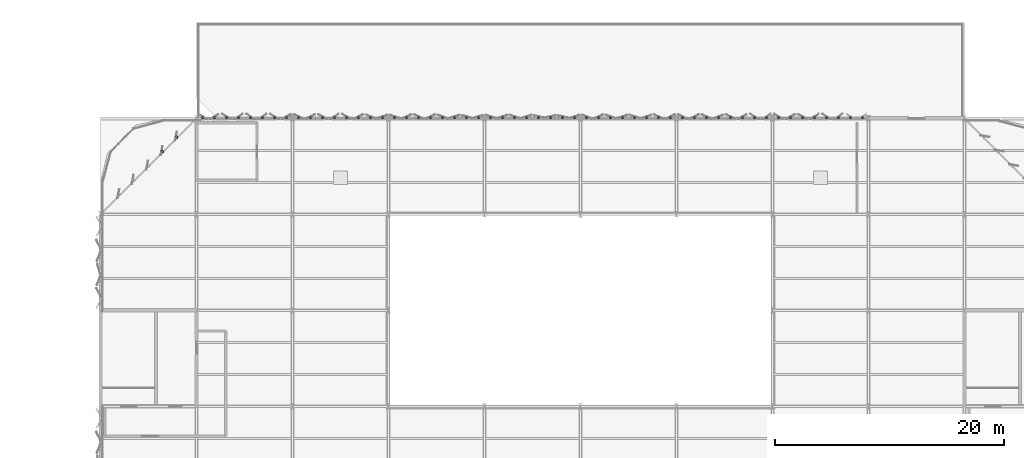
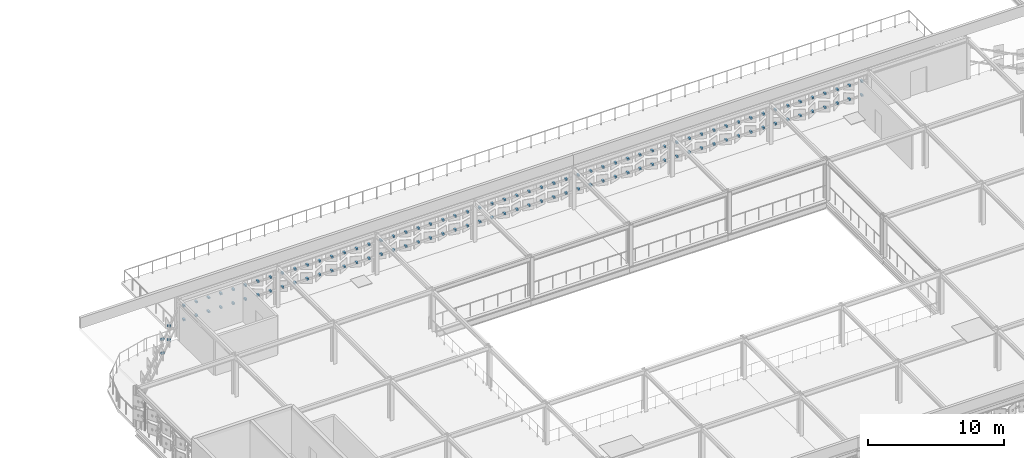
# One storey, part 59 of 65: 116 discrete accessories.
"""IFC4 building model written with IfcOpenShell, lengths in metres."""

from ifc_helpers import new_model, si_unit, direction, frame, origin, origin_2d, place, context, subcontext, project, spatial, rectangle, extrude, material, type_object, element, save


model = new_model("IFC4")

# Units and contexts
model_context = context("Model", 3, precision=1e-05, world=origin(), true_north=direction((0.0, 1.0)))
body_context = subcontext(model_context, "Body", "Model", "MODEL_VIEW")
ifc_project = project(units=[si_unit("LENGTHUNIT", "METRE"), si_unit("AREAUNIT", "SQUARE_METRE"), si_unit("VOLUMEUNIT", "CUBIC_METRE"), si_unit("PLANEANGLEUNIT", "RADIAN"), si_unit("MASSUNIT", "GRAM", prefix="KILO")], contexts=[model_context])

# Site, building, storey
site_placement = place(None, origin())
site = spatial("IfcSite", under=ifc_project, at=site_placement, CompositionType="ELEMENT")
building_placement = place(site_placement, origin())
building = spatial("IfcBuilding", under=site, at=building_placement, Name="Qalvenar Corner Mobility Hub", CompositionType="ELEMENT")
storey_placement = place(building_placement, frame((0.0, 0.0, 17.39990234375)))
storey = spatial("IfcBuildingStorey", under=building, at=storey_placement, Name="L04", CompositionType="ELEMENT", Elevation=17.39990234375)

# Discrete accessories
ifc_material = material(Name="Steel S355", Category="steel")
discrete_accessory_type = type_object("IfcDiscreteAccessoryType", Name="ACC-HINGE-BRK", PredefinedType="BRACKET", material=ifc_material)
for number, where, z_axis, x_axis, name in (
    (1, (125.47509765625, 109.280029296875, 1.419921875), (0.0, 0.0, 1.0), (-1.0, 0.0, 0.0), "Panel Hinge Bracket BK-L04-1209"),
    (2, (125.47509765625, 109.280029296875, 2.669921875), (0.0, 0.0, 1.0), (-1.0, 0.0, 0.0), "Panel Hinge Bracket BK-L04-1210"),
    (3, (124.425048828125, 109.280029296875, 1.419921875), (0.0, 0.0, 1.0), (-1.0, 0.0, 0.0), "Panel Hinge Bracket BK-L04-1211"),
    (4, (124.425048828125, 109.280029296875, 2.669921875), (0.0, 0.0, 1.0), (-1.0, 0.0, 0.0), "Panel Hinge Bracket BK-L04-1212"),
    (5, (123.375, 109.280029296875, 1.419921875), (0.0, 0.0, 1.0), (-1.0, 0.0, 0.0), "Panel Hinge Bracket BK-L04-1213"),
    (6, (123.375, 109.280029296875, 2.669921875), (0.0, 0.0, 1.0), (-1.0, 0.0, 0.0), "Panel Hinge Bracket BK-L04-1214"),
    (7, (122.324951171875, 109.280029296875, 1.419921875), (0.0, 0.0, 1.0), (-1.0, 0.0, 0.0), "Panel Hinge Bracket BK-L04-1215"),
    (8, (122.324951171875, 109.280029296875, 2.669921875), (0.0, 0.0, 1.0), (-1.0, 0.0, 0.0), "Panel Hinge Bracket BK-L04-1216"),
    (9, (121.27490234375, 109.280029296875, 1.419921875), (0.0, 0.0, 1.0), (-1.0, 0.0, 0.0), "Panel Hinge Bracket BK-L04-1217"),
    (10, (121.27490234375, 109.280029296875, 2.669921875), (0.0, 0.0, 1.0), (-1.0, 0.0, 0.0), "Panel Hinge Bracket BK-L04-1218"),
    (11, (120.22509765625, 109.280029296875, 1.419921875), (0.0, 0.0, 1.0), (-1.0, 0.0, 0.0), "Panel Hinge Bracket BK-L04-1219"),
    (12, (120.22509765625, 109.280029296875, 2.669921875), (0.0, 0.0, 1.0), (-1.0, 0.0, 0.0), "Panel Hinge Bracket BK-L04-1220"),
    (13, (119.175048828125, 109.280029296875, 1.419921875), (0.0, 0.0, 1.0), (-1.0, 0.0, 0.0), "Panel Hinge Bracket BK-L04-1221"),
    (14, (119.175048828125, 109.280029296875, 2.669921875), (0.0, 0.0, 1.0), (-1.0, 0.0, 0.0), "Panel Hinge Bracket BK-L04-1222"),
    (15, (118.125, 109.280029296875, 1.419921875), (0.0, 0.0, 1.0), (-1.0, 0.0, 0.0), "Panel Hinge Bracket BK-L04-1223"),
    (16, (118.125, 109.280029296875, 2.669921875), (0.0, 0.0, 1.0), (-1.0, 0.0, 0.0), "Panel Hinge Bracket BK-L04-1224"),
    (17, (117.074951171875, 109.280029296875, 1.419921875), (0.0, 0.0, 1.0), (-1.0, 0.0, 0.0), "Panel Hinge Bracket BK-L04-1225"),
    (18, (117.074951171875, 109.280029296875, 2.669921875), (0.0, 0.0, 1.0), (-1.0, 0.0, 0.0), "Panel Hinge Bracket BK-L04-1226"),
    (19, (116.02490234375, 109.280029296875, 1.419921875), (0.0, 0.0, 1.0), (-1.0, 0.0, 0.0), "Panel Hinge Bracket BK-L04-1227"),
    (20, (116.02490234375, 109.280029296875, 2.669921875), (0.0, 0.0, 1.0), (-1.0, 0.0, 0.0), "Panel Hinge Bracket BK-L04-1228"),
    (21, (114.97509765625, 109.280029296875, 1.419921875), (0.0, 0.0, 1.0), (-1.0, 0.0, 0.0), "Panel Hinge Bracket BK-L04-1229"),
    (22, (114.97509765625, 109.280029296875, 2.669921875), (0.0, 0.0, 1.0), (-1.0, 0.0, 0.0), "Panel Hinge Bracket BK-L04-1230"),
    (23, (113.925048828125, 109.280029296875, 1.419921875), (0.0, 0.0, 1.0), (-1.0, 0.0, 0.0), "Panel Hinge Bracket BK-L04-1231"),
    (24, (113.925048828125, 109.280029296875, 2.669921875), (0.0, 0.0, 1.0), (-1.0, 0.0, 0.0), "Panel Hinge Bracket BK-L04-1232"),
    (25, (112.875, 109.280029296875, 1.419921875), (0.0, 0.0, 1.0), (-1.0, 0.0, 0.0), "Panel Hinge Bracket BK-L04-1233"),
    (26, (112.875, 109.280029296875, 2.669921875), (0.0, 0.0, 1.0), (-1.0, 0.0, 0.0), "Panel Hinge Bracket BK-L04-1234"),
    (27, (111.824951171875, 109.280029296875, 1.419921875), (0.0, 0.0, 1.0), (-1.0, 0.0, 0.0), "Panel Hinge Bracket BK-L04-1235"),
    (28, (111.824951171875, 109.280029296875, 2.669921875), (0.0, 0.0, 1.0), (-1.0, 0.0, 0.0), "Panel Hinge Bracket BK-L04-1236"),
    (29, (110.77490234375, 109.280029296875, 1.419921875), (0.0, 0.0, 1.0), (-1.0, 0.0, 0.0), "Panel Hinge Bracket BK-L04-1237"),
    (30, (110.77490234375, 109.280029296875, 2.669921875), (0.0, 0.0, 1.0), (-1.0, 0.0, 0.0), "Panel Hinge Bracket BK-L04-1238"),
    (31, (109.72509765625, 109.280029296875, 1.419921875), (0.0, 0.0, 1.0), (-1.0, 0.0, 0.0), "Panel Hinge Bracket BK-L04-1239"),
    (32, (109.72509765625, 109.280029296875, 2.669921875), (0.0, 0.0, 1.0), (-1.0, 0.0, 0.0), "Panel Hinge Bracket BK-L04-1240"),
    (33, (108.675048828125, 109.280029296875, 1.419921875), (0.0, 0.0, 1.0), (-1.0, 0.0, 0.0), "Panel Hinge Bracket BK-L04-1241"),
    (34, (108.675048828125, 109.280029296875, 2.669921875), (0.0, 0.0, 1.0), (-1.0, 0.0, 0.0), "Panel Hinge Bracket BK-L04-1242"),
    (35, (107.625, 109.280029296875, 1.419921875), (0.0, 0.0, 1.0), (-1.0, 0.0, 0.0), "Panel Hinge Bracket BK-L04-1243"),
    (36, (107.625, 109.280029296875, 2.669921875), (0.0, 0.0, 1.0), (-1.0, 0.0, 0.0), "Panel Hinge Bracket BK-L04-1244"),
    (37, (106.574951171875, 109.280029296875, 1.419921875), (0.0, 0.0, 1.0), (-1.0, 0.0, 0.0), "Panel Hinge Bracket BK-L04-1245"),
    (38, (106.574951171875, 109.280029296875, 2.669921875), (0.0, 0.0, 1.0), (-1.0, 0.0, 0.0), "Panel Hinge Bracket BK-L04-1246"),
    (39, (105.52490234375, 109.280029296875, 1.419921875), (0.0, 0.0, 1.0), (-1.0, 0.0, 0.0), "Panel Hinge Bracket BK-L04-1247"),
    (40, (105.52490234375, 109.280029296875, 2.669921875), (0.0, 0.0, 1.0), (-1.0, 0.0, 0.0), "Panel Hinge Bracket BK-L04-1248"),
    (41, (104.47509765625, 109.280029296875, 1.419921875), (0.0, 0.0, 1.0), (-1.0, 0.0, 0.0), "Panel Hinge Bracket BK-L04-1249"),
    (42, (104.47509765625, 109.280029296875, 2.669921875), (0.0, 0.0, 1.0), (-1.0, 0.0, 0.0), "Panel Hinge Bracket BK-L04-1250"),
    (43, (103.425048828125, 109.280029296875, 1.419921875), (0.0, 0.0, 1.0), (-1.0, 0.0, 0.0), "Panel Hinge Bracket BK-L04-1251"),
    (44, (103.425048828125, 109.280029296875, 2.669921875), (0.0, 0.0, 1.0), (-1.0, 0.0, 0.0), "Panel Hinge Bracket BK-L04-1252"),
    (45, (102.375, 109.280029296875, 1.419921875), (0.0, 0.0, 1.0), (-1.0, 0.0, 0.0), "Panel Hinge Bracket BK-L04-1253"),
    (46, (102.375, 109.280029296875, 2.669921875), (0.0, 0.0, 1.0), (-1.0, 0.0, 0.0), "Panel Hinge Bracket BK-L04-1254"),
    (47, (101.324951171875, 109.280029296875, 1.419921875), (0.0, 0.0, 1.0), (-1.0, 0.0, 0.0), "Panel Hinge Bracket BK-L04-1255"),
    (48, (101.324951171875, 109.280029296875, 2.669921875), (0.0, 0.0, 1.0), (-1.0, 0.0, 0.0), "Panel Hinge Bracket BK-L04-1256"),
    (49, (100.27490234375, 109.280029296875, 1.419921875), (0.0, 0.0, 1.0), (-1.0, 0.0, 0.0), "Panel Hinge Bracket BK-L04-1257"),
    (50, (100.27490234375, 109.280029296875, 2.669921875), (0.0, 0.0, 1.0), (-1.0, 0.0, 0.0), "Panel Hinge Bracket BK-L04-1258"),
    (51, (99.22509765625, 109.280029296875, 1.419921875), (0.0, 0.0, 1.0), (-1.0, 0.0, 0.0), "Panel Hinge Bracket BK-L04-1259"),
    (52, (99.22509765625, 109.280029296875, 2.669921875), (0.0, 0.0, 1.0), (-1.0, 0.0, 0.0), "Panel Hinge Bracket BK-L04-1260"),
    (53, (98.175048828125, 109.280029296875, 1.419921875), (0.0, 0.0, 1.0), (-1.0, 0.0, 0.0), "Panel Hinge Bracket BK-L04-1261"),
    (54, (98.175048828125, 109.280029296875, 2.669921875), (0.0, 0.0, 1.0), (-1.0, 0.0, 0.0), "Panel Hinge Bracket BK-L04-1262"),
    (55, (97.125, 109.280029296875, 1.419921875), (0.0, 0.0, 1.0), (-1.0, 0.0, 0.0), "Panel Hinge Bracket BK-L04-1263"),
    (56, (97.125, 109.280029296875, 2.669921875), (0.0, 0.0, 1.0), (-1.0, 0.0, 0.0), "Panel Hinge Bracket BK-L04-1264"),
    (57, (96.074951171875, 109.280029296875, 1.419921875), (0.0, 0.0, 1.0), (-1.0, 0.0, 0.0), "Panel Hinge Bracket BK-L04-1265"),
    (58, (96.074951171875, 109.280029296875, 2.669921875), (0.0, 0.0, 1.0), (-1.0, 0.0, 0.0), "Panel Hinge Bracket BK-L04-1266"),
    (59, (95.02490234375, 109.280029296875, 1.419921875), (0.0, 0.0, 1.0), (-1.0, 0.0, 0.0), "Panel Hinge Bracket BK-L04-1267"),
    (60, (95.02490234375, 109.280029296875, 2.669921875), (0.0, 0.0, 1.0), (-1.0, 0.0, 0.0), "Panel Hinge Bracket BK-L04-1268"),
    (61, (93.97509765625, 109.280029296875, 1.419921875), (0.0, 0.0, 1.0), (-1.0, 0.0, 0.0), "Panel Hinge Bracket BK-L04-1269"),
    (62, (93.97509765625, 109.280029296875, 2.669921875), (0.0, 0.0, 1.0), (-1.0, 0.0, 0.0), "Panel Hinge Bracket BK-L04-1270"),
    (63, (92.925048828125, 109.280029296875, 1.419921875), (0.0, 0.0, 1.0), (-1.0, 0.0, 0.0), "Panel Hinge Bracket BK-L04-1271"),
    (64, (92.925048828125, 109.280029296875, 2.669921875), (0.0, 0.0, 1.0), (-1.0, 0.0, 0.0), "Panel Hinge Bracket BK-L04-1272"),
    (65, (91.875, 109.280029296875, 1.419921875), (0.0, 0.0, 1.0), (-1.0, 0.0, 0.0), "Panel Hinge Bracket BK-L04-1273"),
    (66, (91.875, 109.280029296875, 2.669921875), (0.0, 0.0, 1.0), (-1.0, 0.0, 0.0), "Panel Hinge Bracket BK-L04-1274"),
    (67, (90.824951171875, 109.280029296875, 1.419921875), (0.0, 0.0, 1.0), (-1.0, 0.0, 0.0), "Panel Hinge Bracket BK-L04-1275"),
    (68, (90.824951171875, 109.280029296875, 2.669921875), (0.0, 0.0, 1.0), (-1.0, 0.0, 0.0), "Panel Hinge Bracket BK-L04-1276"),
    (69, (89.77490234375, 109.280029296875, 1.419921875), (0.0, 0.0, 1.0), (-1.0, 0.0, 0.0), "Panel Hinge Bracket BK-L04-1277"),
    (70, (89.77490234375, 109.280029296875, 2.669921875), (0.0, 0.0, 1.0), (-1.0, 0.0, 0.0), "Panel Hinge Bracket BK-L04-1278"),
    (71, (88.72509765625, 109.280029296875, 1.419921875), (0.0, 0.0, 1.0), (-1.0, 0.0, 0.0), "Panel Hinge Bracket BK-L04-1279"),
    (72, (88.72509765625, 109.280029296875, 2.669921875), (0.0, 0.0, 1.0), (-1.0, 0.0, 0.0), "Panel Hinge Bracket BK-L04-1280"),
    (73, (87.675048828125, 109.280029296875, 1.419921875), (0.0, 0.0, 1.0), (-1.0, 0.0, 0.0), "Panel Hinge Bracket BK-L04-1281"),
    (74, (87.675048828125, 109.280029296875, 2.669921875), (0.0, 0.0, 1.0), (-1.0, 0.0, 0.0), "Panel Hinge Bracket BK-L04-1282"),
    (75, (86.625, 109.280029296875, 1.419921875), (0.0, 0.0, 1.0), (-1.0, 0.0, 0.0), "Panel Hinge Bracket BK-L04-1283"),
    (76, (86.625, 109.280029296875, 2.669921875), (0.0, 0.0, 1.0), (-1.0, 0.0, 0.0), "Panel Hinge Bracket BK-L04-1284"),
    (77, (85.574951171875, 109.280029296875, 1.419921875), (0.0, 0.0, 1.0), (-1.0, 0.0, 0.0), "Panel Hinge Bracket BK-L04-1285"),
    (78, (85.574951171875, 109.280029296875, 2.669921875), (0.0, 0.0, 1.0), (-1.0, 0.0, 0.0), "Panel Hinge Bracket BK-L04-1286"),
    (79, (84.52490234375, 109.280029296875, 1.419921875), (0.0, 0.0, 1.0), (-1.0, 0.0, 0.0), "Panel Hinge Bracket BK-L04-1287"),
    (80, (84.52490234375, 109.280029296875, 2.669921875), (0.0, 0.0, 1.0), (-1.0, 0.0, 0.0), "Panel Hinge Bracket BK-L04-1288"),
    (81, (83.47509765625, 109.280029296875, 1.419921875), (0.0, 0.0, 1.0), (-1.0, 0.0, 0.0), "Panel Hinge Bracket BK-L04-1289"),
    (82, (83.47509765625, 109.280029296875, 2.669921875), (0.0, 0.0, 1.0), (-1.0, 0.0, 0.0), "Panel Hinge Bracket BK-L04-1290"),
    (83, (82.425048828125, 109.280029296875, 1.419921875), (0.0, 0.0, 1.0), (-1.0, 0.0, 0.0), "Panel Hinge Bracket BK-L04-1291"),
    (84, (82.425048828125, 109.280029296875, 2.669921875), (0.0, 0.0, 1.0), (-1.0, 0.0, 0.0), "Panel Hinge Bracket BK-L04-1292"),
    (85, (81.375, 109.280029296875, 1.419921875), (0.0, 0.0, 1.0), (-1.0, 0.0, 0.0), "Panel Hinge Bracket BK-L04-1293"),
    (86, (81.375, 109.280029296875, 2.669921875), (0.0, 0.0, 1.0), (-1.0, 0.0, 0.0), "Panel Hinge Bracket BK-L04-1294"),
    (87, (80.324951171875, 109.280029296875, 1.419921875), (0.0, 0.0, 1.0), (-1.0, 0.0, 0.0), "Panel Hinge Bracket BK-L04-1295"),
    (88, (80.324951171875, 109.280029296875, 2.669921875), (0.0, 0.0, 1.0), (-1.0, 0.0, 0.0), "Panel Hinge Bracket BK-L04-1296"),
    (89, (79.27490234375, 109.280029296875, 1.419921875), (0.0, 0.0, 1.0), (-1.0, 0.0, 0.0), "Panel Hinge Bracket BK-L04-1297"),
    (90, (79.27490234375, 109.280029296875, 2.669921875), (0.0, 0.0, 1.0), (-1.0, 0.0, 0.0), "Panel Hinge Bracket BK-L04-1298"),
    (91, (78.22509765625, 109.280029296875, 1.419921875), (0.0, 0.0, 1.0), (-1.0, 0.0, 0.0), "Panel Hinge Bracket BK-L04-1299"),
    (92, (78.22509765625, 109.280029296875, 2.669921875), (0.0, 0.0, 1.0), (-1.0, 0.0, 0.0), "Panel Hinge Bracket BK-L04-1300"),
    (93, (77.175048828125, 109.280029296875, 1.419921875), (0.0, 0.0, 1.0), (-1.0, 0.0, 0.0), "Panel Hinge Bracket BK-L04-1301"),
    (94, (77.175048828125, 109.280029296875, 2.669921875), (0.0, 0.0, 1.0), (-1.0, 0.0, 0.0), "Panel Hinge Bracket BK-L04-1302"),
    (95, (76.125, 109.280029296875, 1.419921875), (0.0, 0.0, 1.0), (-1.0, 0.0, 0.0), "Panel Hinge Bracket BK-L04-1303"),
    (96, (76.125, 109.280029296875, 2.669921875), (0.0, 0.0, 1.0), (-1.0, 0.0, 0.0), "Panel Hinge Bracket BK-L04-1304"),
    (97, (75.074951171875, 109.280029296875, 1.419921875), (0.0, 0.0, 1.0), (-1.0, 0.0, 0.0), "Panel Hinge Bracket BK-L04-1305"),
    (98, (75.074951171875, 109.280029296875, 2.669921875), (0.0, 0.0, 1.0), (-1.0, 0.0, 0.0), "Panel Hinge Bracket BK-L04-1306"),
    (99, (74.02490234375, 109.280029296875, 1.419921875), (0.0, 0.0, 1.0), (-1.0, 0.0, 0.0), "Panel Hinge Bracket BK-L04-1307"),
    (100, (74.02490234375, 109.280029296875, 2.669921875), (0.0, 0.0, 1.0), (-1.0, 0.0, 0.0), "Panel Hinge Bracket BK-L04-1308"),
    (101, (72.97509765625, 109.280029296875, 1.419921875), (0.0, 0.0, 1.0), (-1.0, 0.0, 0.0), "Panel Hinge Bracket BK-L04-1309"),
    (102, (72.97509765625, 109.280029296875, 2.669921875), (0.0, 0.0, 1.0), (-1.0, 0.0, 0.0), "Panel Hinge Bracket BK-L04-1310"),
    (103, (71.925048828125, 109.280029296875, 1.419921875), (0.0, 0.0, 1.0), (-1.0, 0.0, 0.0), "Panel Hinge Bracket BK-L04-1311"),
    (104, (71.925048828125, 109.280029296875, 2.669921875), (0.0, 0.0, 1.0), (-1.0, 0.0, 0.0), "Panel Hinge Bracket BK-L04-1312"),
    (105, (70.875, 109.280029296875, 1.419921875), (0.0, 0.0, 1.0), (-1.0, 0.0, 0.0), "Panel Hinge Bracket BK-L04-1313"),
    (106, (70.875, 109.280029296875, 2.669921875), (0.0, 0.0, 1.0), (-1.0, 0.0, 0.0), "Panel Hinge Bracket BK-L04-1314"),
    (107, (69.824951171875, 109.280029296875, 1.419921875), (0.0, 0.0, 1.0), (-1.0, 0.0, 0.0), "Panel Hinge Bracket BK-L04-1315"),
    (108, (69.824951171875, 109.280029296875, 2.669921875), (0.0, 0.0, 1.0), (-1.0, 0.0, 0.0), "Panel Hinge Bracket BK-L04-1316"),
    (109, (68.77490234375, 109.280029296875, 1.419921875), (0.0, 0.0, 1.0), (-1.0, 0.0, 0.0), "Panel Hinge Bracket BK-L04-1317"),
    (110, (68.77490234375, 109.280029296875, 2.669921875), (0.0, 0.0, 1.0), (-1.0, 0.0, 0.0), "Panel Hinge Bracket BK-L04-1318"),
    (111, (67.72509765625, 109.280029296875, 1.419921875), (0.0, 0.0, 1.0), (-1.0, 0.0, 0.0), "Panel Hinge Bracket BK-L04-1319"),
    (112, (67.72509765625, 109.280029296875, 2.669921875), (0.0, 0.0, 1.0), (-1.0, 0.0, 0.0), "Panel Hinge Bracket BK-L04-1320"),
    (113, (65.46337890625, 107.57666015625, 1.419921875), (0.0, 0.0, 1.0), (-0.707106781187, -0.707106781187, 0.0), "Corner Hinge Bracket BKC-L04-1399"),
    (114, (64.203369140625, 106.316650390625, 1.419921875), (0.0, 0.0, 1.0), (-0.707106781187, -0.707106781187, 0.0), "Corner Hinge Bracket BKC-L04-1400"),
    (115, (65.46337890625, 107.57666015625, 2.669921875), (0.0, 0.0, 1.0), (-0.707106781187, -0.707106781187, 0.0), "Corner Hinge Bracket BKC-L04-1404"),
    (116, (64.203369140625, 106.316650390625, 2.669921875), (0.0, 0.0, 1.0), (-0.707106781187, -0.707106781187, 0.0), "Corner Hinge Bracket BKC-L04-1405"),
):
    element("IfcDiscreteAccessory", number, at=place(storey_placement, frame(where, z_axis=z_axis, x_axis=x_axis)), inside=storey, type_object=discrete_accessory_type, Name=name, PredefinedType="BRACKET", context=body_context, shape_type="SweptSolid", body=[
        extrude(rectangle(XDim=0.159912109375, YDim=0.260009765625, at=origin_2d()), origin(), (0.0, 0.0, 1.0), 0.159912109375),
    ])

save(model, "model.ifc")
